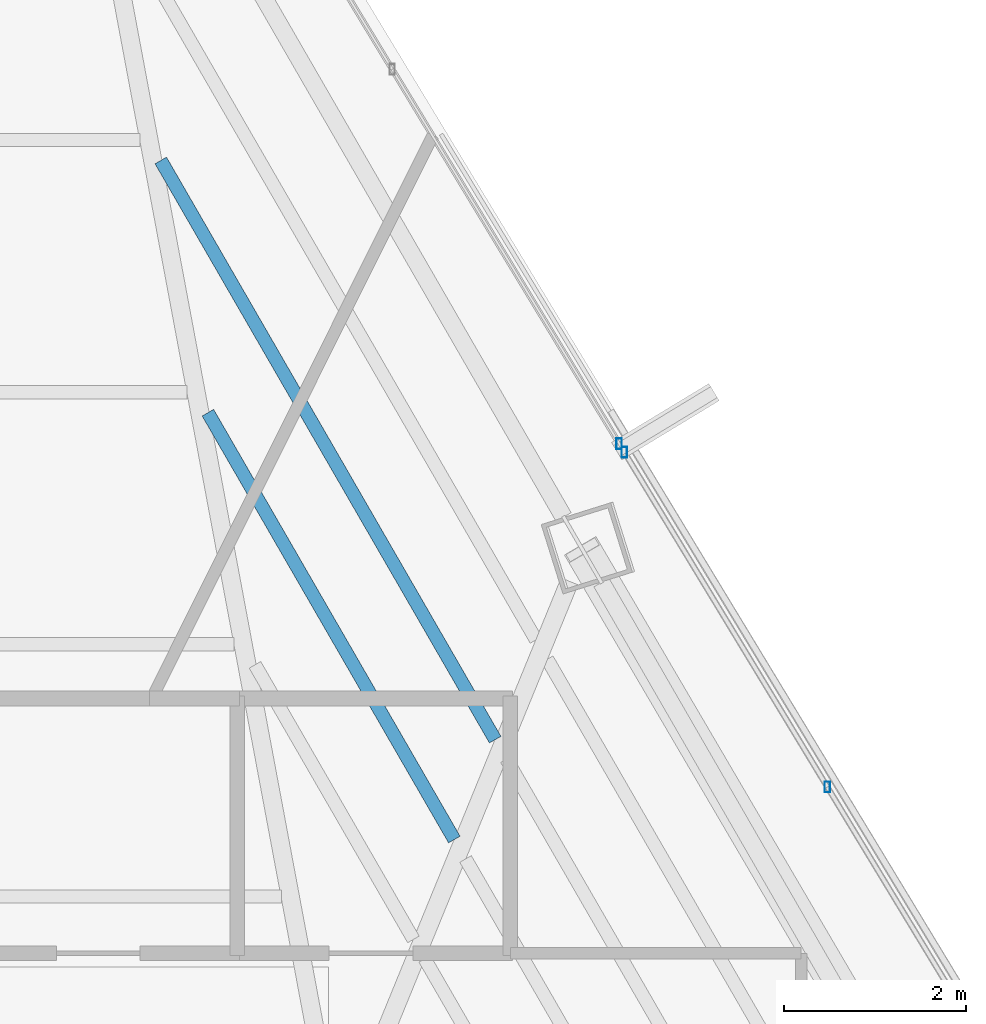
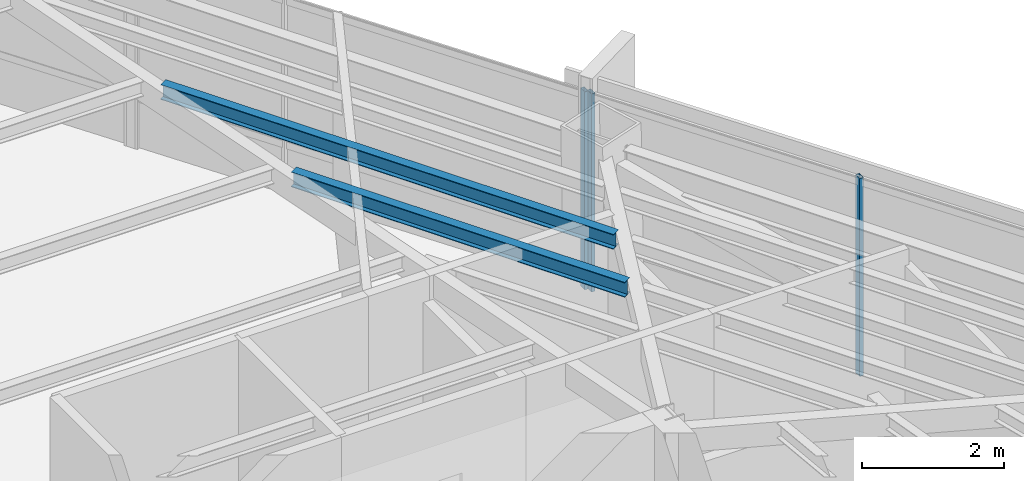
# One storey, part 31 of 47: 3 members, 2 beams, 2 elements without a shape of their own.
"""IFC4 building model written with IfcOpenShell, lengths in metres."""

from ifc_helpers import new_model, si_unit, direction, frame, origin, origin_2d, place, context, subcontext, project, spatial, hollow_rectangle, i_section, extrude, source, transform, mapped, material, material_profile, profile_set, type_object, type_shapes, element, aggregate, save


model = new_model("IFC4")

# Units and contexts
model_context = context("Model", 3, precision=1e-05, world=origin(), true_north=direction((0.0, 1.0)))
body_context = subcontext(model_context, "Body", "Model", "MODEL_VIEW")
ifc_project = project(units=[si_unit("LENGTHUNIT", "METRE"), si_unit("AREAUNIT", "SQUARE_METRE"), si_unit("VOLUMEUNIT", "CUBIC_METRE"), si_unit("PLANEANGLEUNIT", "RADIAN"), si_unit("MASSUNIT", "GRAM", prefix="KILO")], contexts=[model_context])

# Site, building, storey
site_placement = place(None, origin())
site = spatial("IfcSite", under=ifc_project, at=site_placement, CompositionType="ELEMENT")
building_placement = place(site_placement, origin())
building = spatial("IfcBuilding", under=site, at=building_placement, Name="Caelisora Broadcast Tower", CompositionType="ELEMENT")
storey_placement = place(building_placement, frame((0.0, 0.0, 229.85009765625)))
storey = spatial("IfcBuildingStorey", under=building, at=storey_placement, Name="L60", CompositionType="ELEMENT", Elevation=229.85009765625)

# Beams
ifc_material_1 = material(Name="Steel Grade 350 (AS/NZS 3679.1)", Category="steel")
ifc_material_profile_1 = material_profile(ifc_material_1, i_section(OverallWidth=0.14599609375, OverallDepth=0.256103515625, WebThickness=0.00634765625, FlangeThickness=0.010986328125, at=origin_2d()), Name="Steel Grade 350 (AS/NZS 3679.1)")
ifc_profile_set_1 = profile_set([ifc_material_profile_1], Name="Steel Grade 350 (AS/NZS 3679.1)")
beam_type = type_object("IfcBeamType", Name="SB04", PredefinedType="JOIST", material=ifc_profile_set_1)
shared_shape_1 = source(origin(), body_context, "Body", "SweptSolid", [
    extrude(i_section(OverallWidth=0.14599609375, OverallDepth=0.256103515625, WebThickness=0.00634765625, FlangeThickness=0.010986328125, at=origin_2d()), origin(), (0.0, 0.0, 1.0), 5.41796875),
])
beam_1_placement = place(storey_placement, frame((46.78564453125, 33.399658203125, 3.271728515625), z_axis=(-0.499996795364, 0.866027253974, 0.0), x_axis=(-0.866027253974, -0.499996795364, 0.0)))
element("IfcBeam", 1, at=beam_1_placement, inside=storey, type_object=beam_type, Name="L60 beam SB04", PredefinedType="JOIST", context=body_context, shape_type="MappedRepresentation", body=[
    mapped(shared_shape_1, transform((0.0, 0.0, 0.0), scale=1.0)),
])
shared_shape_2 = source(origin(), body_context, "Body", "SweptSolid", [
    extrude(i_section(OverallWidth=0.14599609375, OverallDepth=0.256103515625, WebThickness=0.00634765625, FlangeThickness=0.010986328125, at=origin_2d()), origin(), (0.0, 0.0, 1.0), 7.35205078125),
])
type_shapes(beam_type, [shared_shape_1, shared_shape_2])
beam_2_placement = place(storey_placement, frame((47.23486328125, 34.497314453125, 3.271728515625), z_axis=(-0.500007031608, 0.866021344046, 0.0), x_axis=(-0.866021344046, -0.500007031608, 0.0)))
element("IfcBeam", 2, at=beam_2_placement, inside=storey, type_object=beam_type, Name="L60 beam SB04", PredefinedType="JOIST", context=body_context, shape_type="MappedRepresentation", body=[
    mapped(shared_shape_2, transform((0.0, 0.0, 0.0), scale=1.0)),
])

# Curtain wall, member
ifc_material_2 = material(Name="Unitised Aluminium and Low-E Glass Curtain Wall", Category="glass")
curtain_wall_type_1 = type_object("IfcCurtainWallType", Name="CW-Z5", PredefinedType="NOTDEFINED", material=ifc_material_2)
curtain_wall_1_placement = place(storey_placement, origin())
curtain_wall_1 = element("IfcCurtainWall", 3, at=curtain_wall_1_placement, inside=storey, type_object=curtain_wall_type_1, Name="L60 curtain wall CW-Z5", PredefinedType="NOTDEFINED")
ifc_material_3 = material(Name="Aluminium 6063-T6 Anodised Terracotta Bronze", Category="aluminium")
ifc_material_profile_2 = material_profile(ifc_material_3, hollow_rectangle(XDim=0.06005859375, YDim=0.1201171875, WallThickness=0.0029296875, at=origin_2d()), Name="Aluminium 6063-T6 Anodised Terracotta Bronze")
ifc_profile_set_2 = profile_set([ifc_material_profile_2], Name="Aluminium 6063-T6 Anodised Terracotta Bronze")
member_type = type_object("IfcMemberType", Name="CWM-04", PredefinedType="MULLION", material=ifc_profile_set_2)
shared_shape_3 = source(origin(), body_context, "Body", "SweptSolid", [
    extrude(hollow_rectangle(XDim=0.06005859375, YDim=0.1201171875, WallThickness=0.0029296875, at=origin_2d()), origin(), (0.0, 0.0, 1.0), 3.39990234375),
])
type_shapes(member_type, [shared_shape_3])
member_1_placement = place(storey_placement, frame((48.598388671875, 37.75048828125, 0.0), z_axis=(0.0, 0.0, 1.0), x_axis=(1.0, 0.0, 0.0)))
member_1 = element("IfcMember", 4, at=member_1_placement, type_object=member_type, Name="L60-CW-B01 mullion #3", PredefinedType="MULLION", context=body_context, shape_type="MappedRepresentation", body=[
    mapped(shared_shape_3, transform((0.0, 0.0, 0.0), scale=1.0)),
])
aggregate(curtain_wall_1, [member_1])

# Curtain wall, members
ifc_material_4 = material(Name="Unitised Aluminium Insulated Shadow-Box Spandrel Curtain Wall", Category="aluminium")
curtain_wall_type_2 = type_object("IfcCurtainWallType", Name="CW-SP3", PredefinedType="NOTDEFINED", material=ifc_material_4)
curtain_wall_2_placement = place(storey_placement, origin())
curtain_wall_2 = element("IfcCurtainWall", 5, at=curtain_wall_2_placement, inside=storey, type_object=curtain_wall_type_2, Name="L60 curtain wall CW-SP3", PredefinedType="NOTDEFINED")
member_2_placement = place(storey_placement, frame((48.655517578125, 37.656494140625, 0.0), z_axis=(0.0, 0.0, 1.0), x_axis=(1.0, 0.0, 0.0)))
member_2 = element("IfcMember", 6, at=member_2_placement, type_object=member_type, Name="L60-CW-B02 mullion #0", PredefinedType="MULLION", context=body_context, shape_type="MappedRepresentation", body=[
    mapped(shared_shape_3, transform((0.0, 0.0, 0.0), scale=1.0)),
])
member_3_placement = place(storey_placement, frame((50.88623046875, 33.97705078125, 0.0), z_axis=(0.0, 0.0, 1.0), x_axis=(1.0, 0.0, 0.0)))
member_3 = element("IfcMember", 7, at=member_3_placement, type_object=member_type, Name="L60-CW-B02 mullion #1", PredefinedType="MULLION", context=body_context, shape_type="MappedRepresentation", body=[
    mapped(shared_shape_3, transform((0.0, 0.0, 0.0), scale=1.0)),
])
aggregate(curtain_wall_2, [member_2, member_3])

save(model, "model.ifc")
